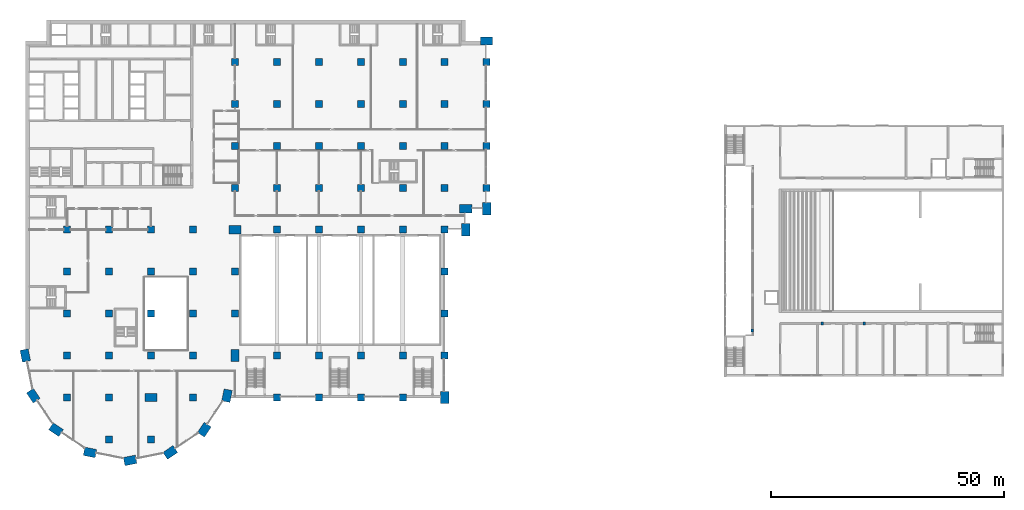
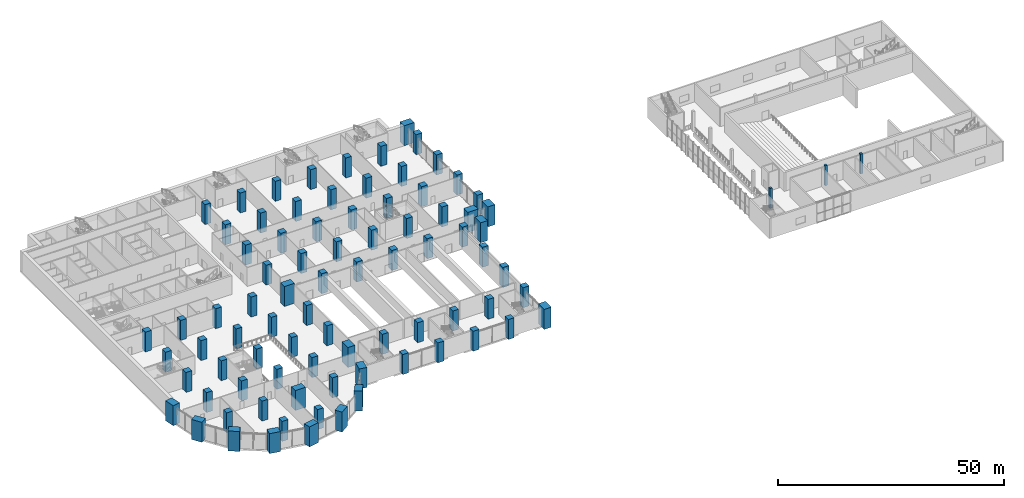
# One storey, part 1 of 43: 86 columns.
"""IFC4 building model written with IfcOpenShell, lengths in metres."""

from ifc_helpers import new_model, si_unit, direction, frame, origin, origin_2d, place, context, subcontext, project, spatial, rectangle, extrude, material, material_profile, profile_set, type_object, element, save


model = new_model("IFC4")

# Units and contexts
model_context = context("Model", 3, precision=1e-05, world=origin(), true_north=direction((0.0, 1.0)))
body_context = subcontext(model_context, "Body", "Model", "MODEL_VIEW")
ifc_project = project(units=[si_unit("LENGTHUNIT", "METRE"), si_unit("AREAUNIT", "SQUARE_METRE"), si_unit("VOLUMEUNIT", "CUBIC_METRE"), si_unit("PLANEANGLEUNIT", "RADIAN"), si_unit("MASSUNIT", "GRAM", prefix="KILO")], contexts=[model_context])

# Site, building, storey
site_placement = place(None, origin())
site = spatial("IfcSite", under=ifc_project, at=site_placement, CompositionType="ELEMENT")
building_placement = place(site_placement, origin())
building = spatial("IfcBuilding", under=site, at=building_placement, Name="Hunhe Ridgeline Campus", CompositionType="ELEMENT")
storey_placement = place(building_placement, frame((0.0, 0.0, 11.39990234375)))
storey = spatial("IfcBuildingStorey", under=building, at=storey_placement, Name="L02", CompositionType="ELEMENT", Elevation=11.39990234375)

# Columns
ifc_material_1 = material(Name="Concrete C50", Category="concrete")
ifc_material_profile_1 = material_profile(ifc_material_1, rectangle(XDim=0.60009765625, YDim=0.60009765625, at=origin_2d()))
ifc_profile_set_1 = profile_set([ifc_material_profile_1], Name="Concrete C50")
column_type_1 = type_object("IfcColumnType", Name="Hall RC column 600x600 C50", PredefinedType="COLUMN", material=ifc_profile_set_1)
for number, where, z_axis, x_axis, name in (
    (1, (171.0, 33.89990234375, 0.0), (0.0, 0.0, 1.0), (1.0, 0.0, 0.0), "Hall column HC-S1"),
    (2, (180.0, 33.89990234375, 0.0), (0.0, 0.0, 1.0), (1.0, 0.0, 0.0), "Hall column HC-S2"),
    (3, (156.0, 32.39990234375, 0.0), (0.0, 0.0, 1.0), (1.0, 0.0, 0.0), "Hall column HC-G1"),
):
    element("IfcColumn", number, at=place(storey_placement, frame(where, z_axis=z_axis, x_axis=x_axis)), inside=storey, type_object=column_type_1, Name=name, PredefinedType="COLUMN", context=body_context, shape_type="SweptSolid", body=[
        extrude(rectangle(XDim=0.60009765625, YDim=0.60009765625, at=origin_2d()), origin(), (0.0, 0.0, 1.0), 5.400146484375),
    ])
ifc_material_2 = material(Name="Concrete C80", Category="concrete")
ifc_material_profile_2 = material_profile(ifc_material_2, rectangle(XDim=2.60009765625, YDim=1.800048828125, at=origin_2d()))
ifc_profile_set_2 = profile_set([ifc_material_profile_2], Name="Concrete C80")
column_type_2 = type_object("IfcColumnType", Name="Megacolumn 2600x1800 Concrete C80", PredefinedType="COLUMN", material=ifc_profile_set_2)
for number, where, z_axis, x_axis, name in (
    (4, (22.5, 4.5, 0.0), (0.0, 0.0, 1.0), (0.980785280403, 0.195090322016, 0.0), "Column C1 R1 L02"),
    (5, (13.8896484375, 6.212646484375, 0.0), (0.0, 0.0, 1.0), (-0.980785280403, 0.195090322016, 0.0), "Column C1 R2 L02"),
    (6, (31.1103515625, 6.212646484375, 0.0), (0.0, 0.0, 1.0), (0.831469612303, 0.55557023302, 0.0), "Column C1 R3 L02"),
    (7, (6.590087890625, 11.090087890625, 0.0), (0.0, 0.0, 1.0), (-0.831469612303, 0.55557023302, 0.0), "Column C1 R4 L02"),
    (8, (38.409912109375, 11.090087890625, 0.0), (0.0, 0.0, 1.0), (0.55557023302, 0.831469612303, 0.0), "Column C1 R5 L02"),
    (9, (1.712646484375, 18.3896484375, 0.0), (0.0, 0.0, 1.0), (-0.55557023302, 0.831469612303, 0.0), "Column C1 R9 L02"),
    (10, (43.287353515625, 18.3896484375, 0.0), (0.0, 0.0, 1.0), (0.195090322016, 0.980785280403, 0.0), "Column C1 R10 L02"),
    (11, (0.0, 27.0, 0.0), (0.0, 0.0, 1.0), (-0.195090322016, 0.980785280403, 0.0), "Column C1 D1 L02"),
    (12, (45.0, 27.0, 0.0), (0.0, 0.0, 1.0), (0.0, 1.0, 0.0), "Column C1 D6 L02"),
    (13, (45.0, 54.0, 0.0), (0.0, 0.0, 1.0), (1.0, 0.0, 0.0), "Column C1 G6 L02"),
    (14, (94.5, 54.0, 0.0), (0.0, 0.0, 1.0), (0.0, 1.0, 0.0), "Column C1 R32 L02"),
    (15, (94.5, 58.5, 0.0), (0.0, 0.0, 1.0), (1.0, 0.0, 0.0), "Column C1 R39 L02"),
    (16, (99.0, 58.5, 0.0), (0.0, 0.0, 1.0), (0.0, 1.0, 0.0), "Column C1 R40 L02"),
    (17, (99.0, 94.5, 0.0), (0.0, 0.0, 1.0), (1.0, 0.0, 0.0), "Column C1 R44 L02"),
    (18, (27.0, 18.0, 0.0), (0.0, 0.0, 1.0), (1.0, 0.0, 0.0), "Column C1 C4 L02"),
    (19, (90.0, 18.0, 0.0), (0.0, 0.0, 1.0), (0.0, 1.0, 0.0), "Column C1 C11 L02"),
):
    element("IfcColumn", number, at=place(storey_placement, frame(where, z_axis=z_axis, x_axis=x_axis)), inside=storey, type_object=column_type_2, Name=name, PredefinedType="COLUMN", context=body_context, shape_type="SweptSolid", body=[
        extrude(rectangle(XDim=2.60009765625, YDim=1.800048828125, at=origin_2d()), origin(), (0.0, 0.0, 1.0), 5.400146484375),
    ])
ifc_material_profile_3 = material_profile(ifc_material_2, rectangle(XDim=1.5, YDim=1.5, at=origin_2d()))
ifc_profile_set_3 = profile_set([ifc_material_profile_3], Name="Concrete C80")
column_type_3 = type_object("IfcColumnType", Name="RC column 1500x1500 Concrete C80", PredefinedType="COLUMN", material=ifc_profile_set_3)
for number, where, z_axis, x_axis, name in (
    (20, (45.0, 36.0, 0.0), (0.0, 0.0, 1.0), (1.0, 0.0, 0.0), "Column C2 E6 L02"),
    (21, (45.0, 45.0, 0.0), (0.0, 0.0, 1.0), (1.0, 0.0, 0.0), "Column C2 F6 L02"),
    (22, (54.0, 54.0, 0.0), (0.0, 0.0, 1.0), (1.0, 0.0, 0.0), "Column C2 G7 L02"),
    (23, (63.0, 54.0, 0.0), (0.0, 0.0, 1.0), (1.0, 0.0, 0.0), "Column C2 G8 L02"),
    (24, (72.0, 54.0, 0.0), (0.0, 0.0, 1.0), (1.0, 0.0, 0.0), "Column C2 G9 L02"),
    (25, (81.0, 54.0, 0.0), (0.0, 0.0, 1.0), (1.0, 0.0, 0.0), "Column C2 G10 L02"),
    (26, (90.0, 54.0, 0.0), (0.0, 0.0, 1.0), (1.0, 0.0, 0.0), "Column C2 G11 L02"),
    (27, (99.0, 63.0, 0.0), (0.0, 0.0, 1.0), (1.0, 0.0, 0.0), "Column C2 H12 L02"),
    (28, (99.0, 72.0, 0.0), (0.0, 0.0, 1.0), (1.0, 0.0, 0.0), "Column C2 I12 L02"),
    (29, (99.0, 81.0, 0.0), (0.0, 0.0, 1.0), (1.0, 0.0, 0.0), "Column C2 J12 L02"),
    (30, (99.0, 90.0, 0.0), (0.0, 0.0, 1.0), (1.0, 0.0, 0.0), "Column C2 K12 L02"),
    (31, (9.0, 18.0, 0.0), (0.0, 0.0, 1.0), (1.0, 0.0, 0.0), "Column C2 C2 L02"),
    (32, (9.0, 27.0, 0.0), (0.0, 0.0, 1.0), (1.0, 0.0, 0.0), "Column C2 D2 L02"),
    (33, (9.0, 36.0, 0.0), (0.0, 0.0, 1.0), (1.0, 0.0, 0.0), "Column C2 E2 L02"),
    (34, (9.0, 45.0, 0.0), (0.0, 0.0, 1.0), (1.0, 0.0, 0.0), "Column C2 F2 L02"),
    (35, (9.0, 54.0, 0.0), (0.0, 0.0, 1.0), (1.0, 0.0, 0.0), "Column C2 G2 L02"),
    (36, (18.0, 18.0, 0.0), (0.0, 0.0, 1.0), (1.0, 0.0, 0.0), "Column C2 C3 L02"),
    (37, (18.0, 27.0, 0.0), (0.0, 0.0, 1.0), (1.0, 0.0, 0.0), "Column C2 D3 L02"),
    (38, (18.0, 36.0, 0.0), (0.0, 0.0, 1.0), (1.0, 0.0, 0.0), "Column C2 E3 L02"),
    (39, (18.0, 45.0, 0.0), (0.0, 0.0, 1.0), (1.0, 0.0, 0.0), "Column C2 F3 L02"),
    (40, (18.0, 54.0, 0.0), (0.0, 0.0, 1.0), (1.0, 0.0, 0.0), "Column C2 G3 L02"),
    (41, (27.0, 27.0, 0.0), (0.0, 0.0, 1.0), (1.0, 0.0, 0.0), "Column C2 D4 L02"),
    (42, (27.0, 36.0, 0.0), (0.0, 0.0, 1.0), (1.0, 0.0, 0.0), "Column C2 E4 L02"),
    (43, (27.0, 45.0, 0.0), (0.0, 0.0, 1.0), (1.0, 0.0, 0.0), "Column C2 F4 L02"),
    (44, (27.0, 54.0, 0.0), (0.0, 0.0, 1.0), (1.0, 0.0, 0.0), "Column C2 G4 L02"),
    (45, (36.0, 18.0, 0.0), (0.0, 0.0, 1.0), (1.0, 0.0, 0.0), "Column C2 C5 L02"),
    (46, (36.0, 27.0, 0.0), (0.0, 0.0, 1.0), (1.0, 0.0, 0.0), "Column C2 D5 L02"),
    (47, (36.0, 36.0, 0.0), (0.0, 0.0, 1.0), (1.0, 0.0, 0.0), "Column C2 E5 L02"),
    (48, (36.0, 45.0, 0.0), (0.0, 0.0, 1.0), (1.0, 0.0, 0.0), "Column C2 F5 L02"),
    (49, (36.0, 54.0, 0.0), (0.0, 0.0, 1.0), (1.0, 0.0, 0.0), "Column C2 G5 L02"),
    (50, (45.0, 63.0, 0.0), (0.0, 0.0, 1.0), (1.0, 0.0, 0.0), "Column C2 H6 L02"),
    (51, (45.0, 72.0, 0.0), (0.0, 0.0, 1.0), (1.0, 0.0, 0.0), "Column C2 I6 L02"),
    (52, (45.0, 81.0, 0.0), (0.0, 0.0, 1.0), (1.0, 0.0, 0.0), "Column C2 J6 L02"),
    (53, (45.0, 90.0, 0.0), (0.0, 0.0, 1.0), (1.0, 0.0, 0.0), "Column C2 K6 L02"),
    (54, (54.0, 63.0, 0.0), (0.0, 0.0, 1.0), (1.0, 0.0, 0.0), "Column C2 H7 L02"),
    (55, (54.0, 72.0, 0.0), (0.0, 0.0, 1.0), (1.0, 0.0, 0.0), "Column C2 I7 L02"),
    (56, (54.0, 81.0, 0.0), (0.0, 0.0, 1.0), (1.0, 0.0, 0.0), "Column C2 J7 L02"),
    (57, (54.0, 90.0, 0.0), (0.0, 0.0, 1.0), (1.0, 0.0, 0.0), "Column C2 K7 L02"),
    (58, (63.0, 63.0, 0.0), (0.0, 0.0, 1.0), (1.0, 0.0, 0.0), "Column C2 H8 L02"),
    (59, (63.0, 72.0, 0.0), (0.0, 0.0, 1.0), (1.0, 0.0, 0.0), "Column C2 I8 L02"),
    (60, (63.0, 81.0, 0.0), (0.0, 0.0, 1.0), (1.0, 0.0, 0.0), "Column C2 J8 L02"),
    (61, (63.0, 90.0, 0.0), (0.0, 0.0, 1.0), (1.0, 0.0, 0.0), "Column C2 K8 L02"),
    (62, (72.0, 63.0, 0.0), (0.0, 0.0, 1.0), (1.0, 0.0, 0.0), "Column C2 H9 L02"),
    (63, (72.0, 72.0, 0.0), (0.0, 0.0, 1.0), (1.0, 0.0, 0.0), "Column C2 I9 L02"),
    (64, (72.0, 81.0, 0.0), (0.0, 0.0, 1.0), (1.0, 0.0, 0.0), "Column C2 J9 L02"),
    (65, (72.0, 90.0, 0.0), (0.0, 0.0, 1.0), (1.0, 0.0, 0.0), "Column C2 K9 L02"),
    (66, (81.0, 63.0, 0.0), (0.0, 0.0, 1.0), (1.0, 0.0, 0.0), "Column C2 H10 L02"),
    (67, (81.0, 72.0, 0.0), (0.0, 0.0, 1.0), (1.0, 0.0, 0.0), "Column C2 I10 L02"),
    (68, (81.0, 81.0, 0.0), (0.0, 0.0, 1.0), (1.0, 0.0, 0.0), "Column C2 J10 L02"),
    (69, (81.0, 90.0, 0.0), (0.0, 0.0, 1.0), (1.0, 0.0, 0.0), "Column C2 K10 L02"),
    (70, (90.0, 63.0, 0.0), (0.0, 0.0, 1.0), (1.0, 0.0, 0.0), "Column C2 H11 L02"),
    (71, (90.0, 72.0, 0.0), (0.0, 0.0, 1.0), (1.0, 0.0, 0.0), "Column C2 I11 L02"),
    (72, (90.0, 81.0, 0.0), (0.0, 0.0, 1.0), (1.0, 0.0, 0.0), "Column C2 J11 L02"),
    (73, (90.0, 90.0, 0.0), (0.0, 0.0, 1.0), (1.0, 0.0, 0.0), "Column C2 K11 L02"),
    (74, (54.0, 18.0, 0.0), (0.0, 0.0, 1.0), (1.0, 0.0, 0.0), "Column C2 C7 L02"),
    (75, (63.0, 18.0, 0.0), (0.0, 0.0, 1.0), (1.0, 0.0, 0.0), "Column C2 C8 L02"),
    (76, (72.0, 18.0, 0.0), (0.0, 0.0, 1.0), (1.0, 0.0, 0.0), "Column C2 C9 L02"),
    (77, (81.0, 18.0, 0.0), (0.0, 0.0, 1.0), (1.0, 0.0, 0.0), "Column C2 C10 L02"),
    (78, (90.0, 27.0, 0.0), (0.0, 0.0, 1.0), (1.0, 0.0, 0.0), "Column C2 D11 L02"),
    (79, (90.0, 36.0, 0.0), (0.0, 0.0, 1.0), (1.0, 0.0, 0.0), "Column C2 E11 L02"),
    (80, (90.0, 45.0, 0.0), (0.0, 0.0, 1.0), (1.0, 0.0, 0.0), "Column C2 F11 L02"),
    (81, (18.0, 9.0, 0.0), (0.0, 0.0, 1.0), (1.0, 0.0, 0.0), "Column C2 B3 L02"),
    (82, (27.0, 9.0, 0.0), (0.0, 0.0, 1.0), (1.0, 0.0, 0.0), "Column C2 B4 L02"),
    (83, (54.0, 27.0, 0.0), (0.0, 0.0, 1.0), (1.0, 0.0, 0.0), "Column C2 D7 L02"),
    (84, (63.0, 27.0, 0.0), (0.0, 0.0, 1.0), (1.0, 0.0, 0.0), "Column C2 D8 L02"),
    (85, (72.0, 27.0, 0.0), (0.0, 0.0, 1.0), (1.0, 0.0, 0.0), "Column C2 D9 L02"),
    (86, (81.0, 27.0, 0.0), (0.0, 0.0, 1.0), (1.0, 0.0, 0.0), "Column C2 D10 L02"),
):
    element("IfcColumn", number, at=place(storey_placement, frame(where, z_axis=z_axis, x_axis=x_axis)), inside=storey, type_object=column_type_3, Name=name, PredefinedType="COLUMN", context=body_context, shape_type="SweptSolid", body=[
        extrude(rectangle(XDim=1.5, YDim=1.5, at=origin_2d()), origin(), (0.0, 0.0, 1.0), 5.400146484375),
    ])

save(model, "model.ifc")
